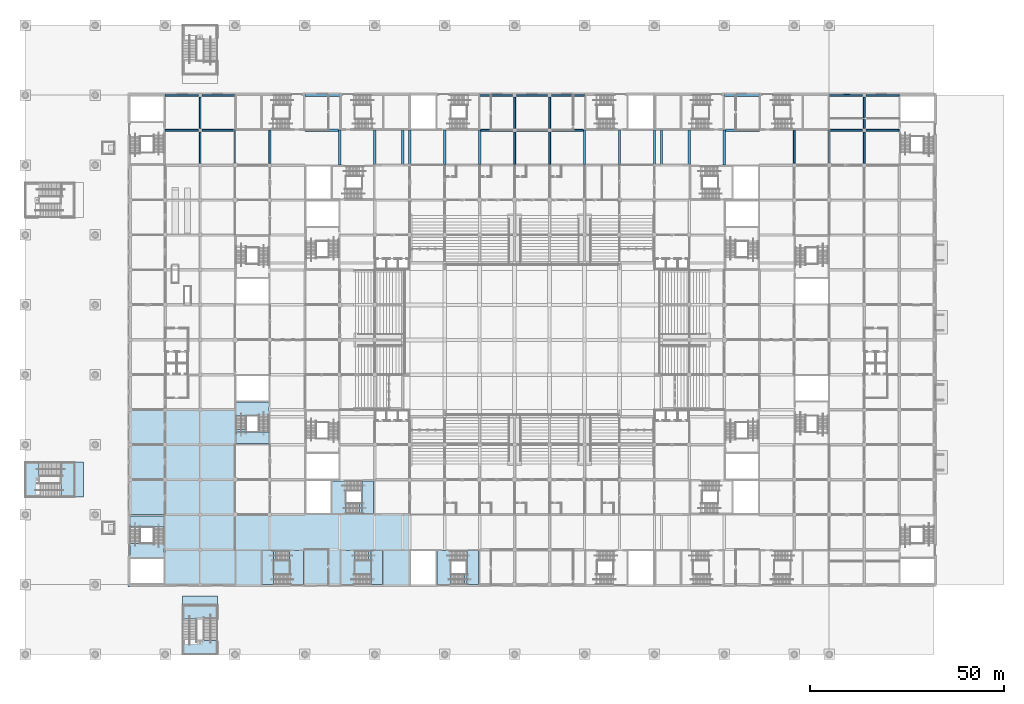
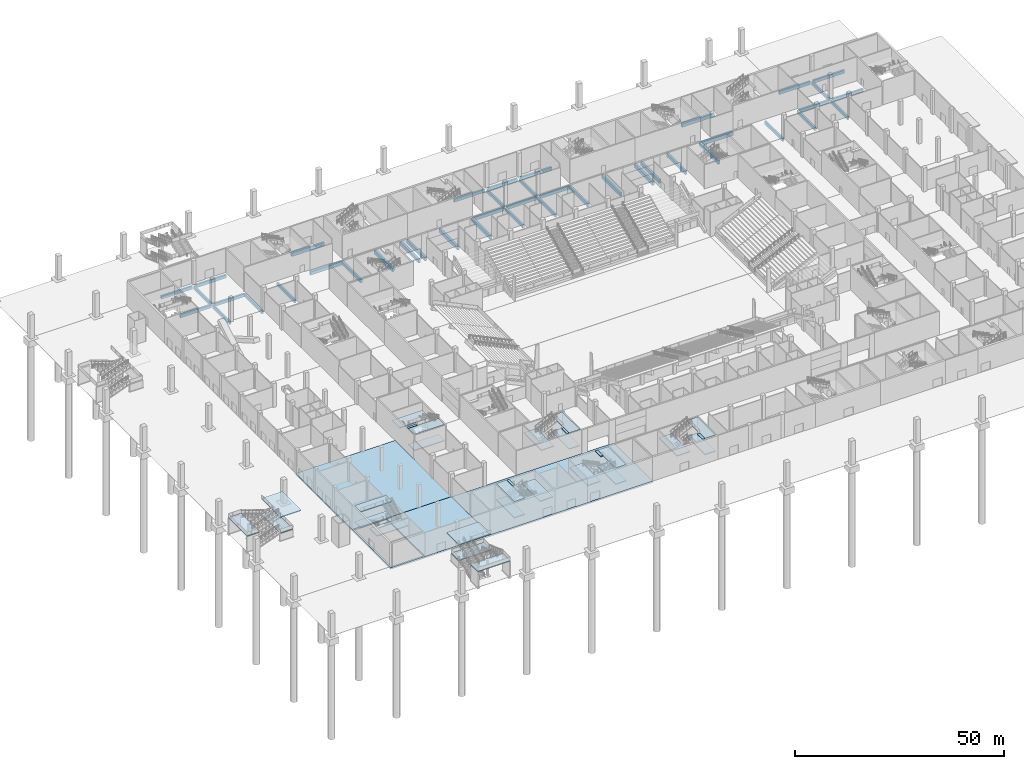
# One storey, part 18 of 92: 42 beams, 32 slabs, 8 elements without a shape of their own.
"""IFC4 building model written with IfcOpenShell, lengths in metres."""

from ifc_helpers import new_model, si_unit, direction, frame, origin, origin_2d, place, context, subcontext, project, spatial, polyline, rectangle, outline, extrude, material, layer, layer_set, material_profile, profile_set, type_object, element, aggregate, save


model = new_model("IFC4")

# Units and contexts
model_context = context("Model", 3, precision=1e-05, world=origin(), true_north=direction((0.0, 1.0)))
body_context = subcontext(model_context, "Body", "Model", "MODEL_VIEW")
ifc_project = project(units=[si_unit("LENGTHUNIT", "METRE"), si_unit("AREAUNIT", "SQUARE_METRE"), si_unit("VOLUMEUNIT", "CUBIC_METRE"), si_unit("PLANEANGLEUNIT", "RADIAN"), si_unit("MASSUNIT", "GRAM", prefix="KILO")], contexts=[model_context])

# Site, building, storey
site_placement = place(None, origin())
site = spatial("IfcSite", under=ifc_project, at=site_placement, CompositionType="ELEMENT")
building_placement = place(site_placement, origin())
building = spatial("IfcBuilding", under=site, at=building_placement, Name="Silverbay Arena", CompositionType="ELEMENT")
storey_placement = place(building_placement, origin())
storey = spatial("IfcBuildingStorey", under=building, at=storey_placement, Name="L00", CompositionType="ELEMENT", Elevation=0.0)

# Beams
ifc_material_1 = material(Name="Concrete Grade C45", Category="concrete")
ifc_material_profile_1 = material_profile(ifc_material_1, rectangle(XDim=0.5, YDim=0.89990234375, at=origin_2d()), Name="RC 500x900")
ifc_profile_set_1 = profile_set([ifc_material_profile_1], Name="Concrete Grade C45")
beam_type_1 = type_object("IfcBeamType", Name="RC beam 500x900", PredefinedType="BEAM", material=ifc_profile_set_1)
beam_1_placement = place(storey_placement, frame((36.0, 135.0, -0.89990234375), z_axis=(1.0, 0.0, 0.0), x_axis=(0.0, 1.0, 0.0)))
element("IfcBeam", 1, at=beam_1_placement, inside=storey, type_object=beam_type_1, Name="Floor beam L00 218", PredefinedType="BEAM", context=body_context, shape_type="SweptSolid", body=[
    extrude(rectangle(XDim=0.5, YDim=0.89990234375, at=origin_2d()), origin(), (0.0, 0.0, 1.0), 8.550048828125),
])
beam_2_placement = place(storey_placement, frame((45.449951171875, 135.0, -0.89990234375), z_axis=(1.0, 0.0, 0.0), x_axis=(0.0, 1.0, 0.0)))
element("IfcBeam", 2, at=beam_2_placement, inside=storey, type_object=beam_type_1, Name="Floor beam L00 219", PredefinedType="BEAM", context=body_context, shape_type="SweptSolid", body=[
    extrude(rectangle(XDim=0.5, YDim=0.89990234375, at=origin_2d()), origin(), (0.0, 0.0, 1.0), 8.300048828125),
])
beam_3_placement = place(storey_placement, frame((117.300048828125, 135.0, -0.89990234375), z_axis=(1.0, 0.0, 0.0), x_axis=(0.0, 1.0, 0.0)))
element("IfcBeam", 3, at=beam_3_placement, inside=storey, type_object=beam_type_1, Name="Floor beam L00 221", PredefinedType="BEAM", context=body_context, shape_type="SweptSolid", body=[
    extrude(rectangle(XDim=0.5, YDim=0.89990234375, at=origin_2d()), origin(), (0.0, 0.0, 1.0), 8.25),
])
beam_4_placement = place(storey_placement, frame((126.449951171875, 135.0, -0.89990234375), z_axis=(1.0, 0.0, 0.0), x_axis=(0.0, 1.0, 0.0)))
element("IfcBeam", 4, at=beam_4_placement, inside=storey, type_object=beam_type_1, Name="Floor beam L00 222", PredefinedType="BEAM", context=body_context, shape_type="SweptSolid", body=[
    extrude(rectangle(XDim=0.5, YDim=0.89990234375, at=origin_2d()), origin(), (0.0, 0.0, 1.0), 8.10009765625),
])
beam_5_placement = place(storey_placement, frame((135.449951171875, 135.0, -0.89990234375), z_axis=(1.0, 0.0, 0.0), x_axis=(0.0, 1.0, 0.0)))
element("IfcBeam", 5, at=beam_5_placement, inside=storey, type_object=beam_type_1, Name="Floor beam L00 223", PredefinedType="BEAM", context=body_context, shape_type="SweptSolid", body=[
    extrude(rectangle(XDim=0.5, YDim=0.89990234375, at=origin_2d()), origin(), (0.0, 0.0, 1.0), 8.25),
])
beam_6_placement = place(storey_placement, frame((207.25, 135.0, -0.89990234375), z_axis=(1.0, 0.0, 0.0), x_axis=(0.0, 1.0, 0.0)))
element("IfcBeam", 6, at=beam_6_placement, inside=storey, type_object=beam_type_1, Name="Floor beam L00 225", PredefinedType="BEAM", context=body_context, shape_type="SweptSolid", body=[
    extrude(rectangle(XDim=0.5, YDim=0.89990234375, at=origin_2d()), origin(), (0.0, 0.0, 1.0), 8.300048828125),
])
for number, where, z_axis, x_axis, name in (
    (7, (216.449951171875, 135.0, -0.89990234375), (1.0, 0.0, 0.0), (0.0, 1.0, 0.0), "Floor beam L00 226"),
    (8, (36.0, 144.0, -0.89990234375), (1.0, 0.0, 0.0), (0.0, 1.0, 0.0), "Floor beam L00 227"),
    (9, (45.449951171875, 144.0, -0.89990234375), (1.0, 0.0, 0.0), (0.0, 1.0, 0.0), "Floor beam L00 228"),
):
    element("IfcBeam", number, at=place(storey_placement, frame(where, z_axis=z_axis, x_axis=x_axis)), inside=storey, type_object=beam_type_1, Name=name, PredefinedType="BEAM", context=body_context, shape_type="SweptSolid", body=[
        extrude(rectangle(XDim=0.5, YDim=0.89990234375, at=origin_2d()), origin(), (0.0, 0.0, 1.0), 8.550048828125),
    ])
beam_7_placement = place(storey_placement, frame((117.0, 144.0, -0.89990234375), z_axis=(1.0, 0.0, 0.0), x_axis=(0.0, 1.0, 0.0)))
element("IfcBeam", 10, at=beam_7_placement, inside=storey, type_object=beam_type_1, Name="Floor beam L00 230", PredefinedType="BEAM", context=body_context, shape_type="SweptSolid", body=[
    extrude(rectangle(XDim=0.5, YDim=0.89990234375, at=origin_2d()), origin(), (0.0, 0.0, 1.0), 8.5),
])
beam_8_placement = place(storey_placement, frame((126.5, 144.0, -0.89990234375), z_axis=(1.0, 0.0, 0.0), x_axis=(0.0, 1.0, 0.0)))
element("IfcBeam", 11, at=beam_8_placement, inside=storey, type_object=beam_type_1, Name="Floor beam L00 231", PredefinedType="BEAM", context=body_context, shape_type="SweptSolid", body=[
    extrude(rectangle(XDim=0.5, YDim=0.89990234375, at=origin_2d()), origin(), (0.0, 0.0, 1.0), 8.0),
])
beam_9_placement = place(storey_placement, frame((135.5, 144.0, -0.89990234375), z_axis=(1.0, 0.0, 0.0), x_axis=(0.0, 1.0, 0.0)))
element("IfcBeam", 12, at=beam_9_placement, inside=storey, type_object=beam_type_1, Name="Floor beam L00 232", PredefinedType="BEAM", context=body_context, shape_type="SweptSolid", body=[
    extrude(rectangle(XDim=0.5, YDim=0.89990234375, at=origin_2d()), origin(), (0.0, 0.0, 1.0), 8.5),
])
for number, where, z_axis, x_axis, name in (
    (13, (207.0, 144.0, -0.89990234375), (1.0, 0.0, 0.0), (0.0, 1.0, 0.0), "Floor beam L00 234"),
    (14, (216.449951171875, 144.0, -0.89990234375), (1.0, 0.0, 0.0), (0.0, 1.0, 0.0), "Floor beam L00 235"),
):
    element("IfcBeam", number, at=place(storey_placement, frame(where, z_axis=z_axis, x_axis=x_axis)), inside=storey, type_object=beam_type_1, Name=name, PredefinedType="BEAM", context=body_context, shape_type="SweptSolid", body=[
        extrude(rectangle(XDim=0.5, YDim=0.89990234375, at=origin_2d()), origin(), (0.0, 0.0, 1.0), 8.550048828125),
    ])
for number, where, z_axis, x_axis, name in (
    (15, (45.0, 126.449951171875, -0.89990234375), (0.0, 1.0, 0.0), (-1.0, 0.0, 0.0), "Floor beam L00 268"),
    (16, (45.0, 135.449951171875, -0.89990234375), (0.0, 1.0, 0.0), (-1.0, 0.0, 0.0), "Floor beam L00 269"),
):
    element("IfcBeam", number, at=place(storey_placement, frame(where, z_axis=z_axis, x_axis=x_axis)), inside=storey, type_object=beam_type_1, Name=name, PredefinedType="BEAM", context=body_context, shape_type="SweptSolid", body=[
        extrude(rectangle(XDim=0.5, YDim=0.89990234375, at=origin_2d()), origin(), (0.0, 0.0, 1.0), 8.10009765625),
    ])
beam_10_placement = place(storey_placement, frame((54.0, 126.5, -0.89990234375), z_axis=(0.0, 1.0, 0.0), x_axis=(-1.0, 0.0, 0.0)))
element("IfcBeam", 17, at=beam_10_placement, inside=storey, type_object=beam_type_1, Name="Floor beam L00 277", PredefinedType="BEAM", context=body_context, shape_type="SweptSolid", body=[
    extrude(rectangle(XDim=0.5, YDim=0.89990234375, at=origin_2d()), origin(), (0.0, 0.0, 1.0), 8.5),
])
beam_11_placement = place(storey_placement, frame((63.0, 126.449951171875, -0.89990234375), z_axis=(0.0, 1.0, 0.0), x_axis=(-1.0, 0.0, 0.0)))
element("IfcBeam", 18, at=beam_11_placement, inside=storey, type_object=beam_type_1, Name="Floor beam L00 285", PredefinedType="BEAM", context=body_context, shape_type="SweptSolid", body=[
    extrude(rectangle(XDim=0.5, YDim=0.89990234375, at=origin_2d()), origin(), (0.0, 0.0, 1.0), 8.550048828125),
])
beam_12_placement = place(storey_placement, frame((126.0, 126.199951171875, -0.89990234375), z_axis=(0.0, 1.0, 0.0), x_axis=(-1.0, 0.0, 0.0)))
element("IfcBeam", 19, at=beam_12_placement, inside=storey, type_object=beam_type_1, Name="Floor beam L00 352", PredefinedType="BEAM", context=body_context, shape_type="SweptSolid", body=[
    extrude(rectangle(XDim=0.5, YDim=0.89990234375, at=origin_2d()), origin(), (0.0, 0.0, 1.0), 8.35009765625),
])
beam_13_placement = place(storey_placement, frame((126.0, 135.449951171875, -0.89990234375), z_axis=(0.0, 1.0, 0.0), x_axis=(-1.0, 0.0, 0.0)))
element("IfcBeam", 20, at=beam_13_placement, inside=storey, type_object=beam_type_1, Name="Floor beam L00 353", PredefinedType="BEAM", context=body_context, shape_type="SweptSolid", body=[
    extrude(rectangle(XDim=0.5, YDim=0.89990234375, at=origin_2d()), origin(), (0.0, 0.0, 1.0), 8.050048828125),
])
beam_14_placement = place(storey_placement, frame((135.0, 126.199951171875, -0.89990234375), z_axis=(0.0, 1.0, 0.0), x_axis=(-1.0, 0.0, 0.0)))
element("IfcBeam", 21, at=beam_14_placement, inside=storey, type_object=beam_type_1, Name="Floor beam L00 366", PredefinedType="BEAM", context=body_context, shape_type="SweptSolid", body=[
    extrude(rectangle(XDim=0.5, YDim=0.89990234375, at=origin_2d()), origin(), (0.0, 0.0, 1.0), 8.35009765625),
])
beam_15_placement = place(storey_placement, frame((135.0, 135.449951171875, -0.89990234375), z_axis=(0.0, 1.0, 0.0), x_axis=(-1.0, 0.0, 0.0)))
element("IfcBeam", 22, at=beam_15_placement, inside=storey, type_object=beam_type_1, Name="Floor beam L00 367", PredefinedType="BEAM", context=body_context, shape_type="SweptSolid", body=[
    extrude(rectangle(XDim=0.5, YDim=0.89990234375, at=origin_2d()), origin(), (0.0, 0.0, 1.0), 8.050048828125),
])
beam_16_placement = place(storey_placement, frame((198.0, 126.449951171875, -0.89990234375), z_axis=(0.0, 1.0, 0.0), x_axis=(-1.0, 0.0, 0.0)))
element("IfcBeam", 23, at=beam_16_placement, inside=storey, type_object=beam_type_1, Name="Floor beam L00 429", PredefinedType="BEAM", context=body_context, shape_type="SweptSolid", body=[
    extrude(rectangle(XDim=0.5, YDim=0.89990234375, at=origin_2d()), origin(), (0.0, 0.0, 1.0), 8.550048828125),
])
beam_17_placement = place(storey_placement, frame((207.0, 126.5, -0.89990234375), z_axis=(0.0, 1.0, 0.0), x_axis=(-1.0, 0.0, 0.0)))
element("IfcBeam", 24, at=beam_17_placement, inside=storey, type_object=beam_type_1, Name="Floor beam L00 437", PredefinedType="BEAM", context=body_context, shape_type="SweptSolid", body=[
    extrude(rectangle(XDim=0.5, YDim=0.89990234375, at=origin_2d()), origin(), (0.0, 0.0, 1.0), 8.5),
])
for number, where, z_axis, x_axis, name in (
    (25, (216.0, 126.449951171875, -0.89990234375), (0.0, 1.0, 0.0), (-1.0, 0.0, 0.0), "Floor beam L00 450"),
    (26, (216.0, 135.449951171875, -0.89990234375), (0.0, 1.0, 0.0), (-1.0, 0.0, 0.0), "Floor beam L00 451"),
):
    element("IfcBeam", number, at=place(storey_placement, frame(where, z_axis=z_axis, x_axis=x_axis)), inside=storey, type_object=beam_type_1, Name=name, PredefinedType="BEAM", context=body_context, shape_type="SweptSolid", body=[
        extrude(rectangle(XDim=0.5, YDim=0.89990234375, at=origin_2d()), origin(), (0.0, 0.0, 1.0), 8.10009765625),
    ])
ifc_material_2 = material(Name="Concrete Grade C45", Category="concrete")
ifc_material_profile_2 = material_profile(ifc_material_2, rectangle(XDim=0.60009765625, YDim=1.0, at=origin_2d()), Name="RC 600x1000")
ifc_profile_set_2 = profile_set([ifc_material_profile_2], Name="Concrete Grade C45")
beam_type_2 = type_object("IfcBeamType", Name="RC beam 600x1000", PredefinedType="BEAM", material=ifc_profile_set_2)
for number, where, z_axis, x_axis, name in (
    (27, (72.0, 135.0, -0.949951171875), (1.0, 0.0, 0.0), (0.0, 1.0, 0.0), "Floor beam L00 220"),
    (28, (180.300048828125, 135.0, -0.949951171875), (1.0, 0.0, 0.0), (0.0, 1.0, 0.0), "Floor beam L00 224"),
):
    element("IfcBeam", number, at=place(storey_placement, frame(where, z_axis=z_axis, x_axis=x_axis)), inside=storey, type_object=beam_type_2, Name=name, PredefinedType="BEAM", context=body_context, shape_type="SweptSolid", body=[
        extrude(rectangle(XDim=0.60009765625, YDim=1.0, at=origin_2d()), origin(), (0.0, 0.0, 1.0), 8.699951171875),
    ])
for number, where, z_axis, x_axis, name in (
    (29, (72.0, 144.0, -0.949951171875), (1.0, 0.0, 0.0), (0.0, 1.0, 0.0), "Floor beam L00 229"),
    (30, (180.0, 144.0, -0.949951171875), (1.0, 0.0, 0.0), (0.0, 1.0, 0.0), "Floor beam L00 233"),
    (31, (81.0, 126.0, -0.949951171875), (0.0, 1.0, 0.0), (-1.0, 0.0, 0.0), "Floor beam L00 291"),
):
    element("IfcBeam", number, at=place(storey_placement, frame(where, z_axis=z_axis, x_axis=x_axis)), inside=storey, type_object=beam_type_2, Name=name, PredefinedType="BEAM", context=body_context, shape_type="SweptSolid", body=[
        extrude(rectangle(XDim=0.60009765625, YDim=1.0, at=origin_2d()), origin(), (0.0, 0.0, 1.0), 9.0),
    ])
for number, where, z_axis, x_axis, name in (
    (32, (90.0, 126.199951171875, -0.949951171875), (0.0, 1.0, 0.0), (-1.0, 0.0, 0.0), "Floor beam L00 301"),
    (33, (97.199951171875, 126.199951171875, -0.949951171875), (0.0, 1.0, 0.0), (-1.0, 0.0, 0.0), "Floor beam L00 307"),
    (34, (99.0, 126.199951171875, -0.949951171875), (0.0, 1.0, 0.0), (-1.0, 0.0, 0.0), "Floor beam L00 315"),
    (35, (108.0, 126.199951171875, -0.949951171875), (0.0, 1.0, 0.0), (-1.0, 0.0, 0.0), "Floor beam L00 327"),
    (36, (117.0, 126.199951171875, -0.949951171875), (0.0, 1.0, 0.0), (-1.0, 0.0, 0.0), "Floor beam L00 339"),
    (37, (144.0, 126.199951171875, -0.949951171875), (0.0, 1.0, 0.0), (-1.0, 0.0, 0.0), "Floor beam L00 379"),
    (38, (153.0, 126.199951171875, -0.949951171875), (0.0, 1.0, 0.0), (-1.0, 0.0, 0.0), "Floor beam L00 391"),
    (39, (162.0, 126.199951171875, -0.949951171875), (0.0, 1.0, 0.0), (-1.0, 0.0, 0.0), "Floor beam L00 399"),
    (40, (163.800048828125, 126.199951171875, -0.949951171875), (0.0, 1.0, 0.0), (-1.0, 0.0, 0.0), "Floor beam L00 405"),
    (41, (171.0, 126.199951171875, -0.949951171875), (0.0, 1.0, 0.0), (-1.0, 0.0, 0.0), "Floor beam L00 415"),
):
    element("IfcBeam", number, at=place(storey_placement, frame(where, z_axis=z_axis, x_axis=x_axis)), inside=storey, type_object=beam_type_2, Name=name, PredefinedType="BEAM", context=body_context, shape_type="SweptSolid", body=[
        extrude(rectangle(XDim=0.60009765625, YDim=1.0, at=origin_2d()), origin(), (0.0, 0.0, 1.0), 8.800048828125),
    ])
beam_18_placement = place(storey_placement, frame((180.0, 126.0, -0.949951171875), z_axis=(0.0, 1.0, 0.0), x_axis=(-1.0, 0.0, 0.0)))
element("IfcBeam", 42, at=beam_18_placement, inside=storey, type_object=beam_type_2, Name="Floor beam L00 421", PredefinedType="BEAM", context=body_context, shape_type="SweptSolid", body=[
    extrude(rectangle(XDim=0.60009765625, YDim=1.0, at=origin_2d()), origin(), (0.0, 0.0, 1.0), 9.0),
])

# Slabs
ifc_material_3 = material(Name="Concrete Grade C45", Category="concrete")
ifc_layer_1 = layer(ifc_material_3, 0.449951171875)
ifc_layer_set_1 = layer_set([ifc_layer_1], Name="Concrete Grade C45")
slab_type_1 = type_object("IfcSlabType", Name="RC floor slab 450", PredefinedType="FLOOR", material=ifc_layer_set_1)
slab_1_placement = place(storey_placement, frame((0.0, 0.0, -0.449951171875)))
element("IfcSlab", 43, at=slab_1_placement, inside=storey, type_object=slab_type_1, Name="Floor slab L00 unit 1", PredefinedType="FLOOR", context=body_context, shape_type="SweptSolid", body=[
    extrude(outline(polyline([(26.5, 35.97509765625), (27.0, 35.97509765625), (27.0, 18.0), (36.0, 18.0), (36.0, 35.97509765625), (54.0, 35.97509765625), (54.0, 17.5), (26.5, 17.5), (26.5, 35.97509765625)])), origin(), (0.0, 0.0, 1.0), 0.449951171875),
])
slab_2_placement = place(storey_placement, frame((0.0, 0.0, -0.449951171875)))
element("IfcSlab", 44, at=slab_2_placement, inside=storey, type_object=slab_type_1, Name="Floor slab L00 unit 2", PredefinedType="FLOOR", context=body_context, shape_type="SweptSolid", body=[
    extrude(outline(polyline([(54.0, 17.5), (54.0, 35.97509765625), (99.0, 35.97509765625), (99.0, 17.5), (54.0, 17.5)])), origin(), (0.0, 0.0, 1.0), 0.449951171875),
])
slab_3_placement = place(storey_placement, frame((0.0, 0.0, -0.449951171875)))
element("IfcSlab", 45, at=slab_3_placement, inside=storey, type_object=slab_type_1, Name="Floor slab L00 unit 6", PredefinedType="FLOOR", context=body_context, shape_type="SweptSolid", body=[
    extrude(outline(polyline([(54.300048828125, 54.60009765625), (54.300048828125, 54.0), (54.0, 54.0), (54.0, 35.97509765625), (36.0, 35.97509765625), (36.0, 36.0), (27.0, 36.0), (27.0, 35.97509765625), (26.5, 35.97509765625), (26.5, 63.10009765625), (54.0, 63.10009765625), (54.0, 54.60009765625), (54.300048828125, 54.60009765625)])), origin(), (0.0, 0.0, 1.0), 0.449951171875),
])

# Stair, slab
ifc_material_4 = material(Name="Concrete Grade C45", Category="concrete")
stair_type_1 = type_object("IfcStairType", Name="Stair 2600 wide 48 risers 145.8 x 300", PredefinedType="HALF_TURN_STAIR", material=ifc_material_4)
stair_1_placement = place(storey_placement, origin())
stair_1 = element("IfcStair", 46, at=stair_1_placement, inside=storey, type_object=stair_type_1, Name="Stair ST-S1 L00 to L01", PredefinedType="HALF_TURN_STAIR")
ifc_material_5 = material(Name="Concrete Grade C45", Category="concrete")
ifc_layer_2 = layer(ifc_material_5, 0.25)
ifc_layer_set_2 = layer_set([ifc_layer_2], Name="Concrete Grade C45")
slab_type_2 = type_object("IfcSlabType", Name="Stair arrival platform RC 250", PredefinedType="FLOOR", material=ifc_layer_set_2)
slab_4_placement = place(storey_placement, frame((0.0, 0.0, 6.75)))
slab_4 = element("IfcSlab", 47, at=slab_4_placement, type_object=slab_type_2, Name="Stair ST-S1 L00 to L01 arrival platform 4", PredefinedType="FLOOR", context=body_context, shape_type="SweptSolid", body=[
    extrude(outline(polyline([(88.39990234375, 26.699951171875), (89.056884765625, 26.699951171875), (89.056884765625, 24.10009765625), (88.39990234375, 24.10009765625), (88.39990234375, 26.699951171875)])), origin(), (0.0, 0.0, 1.0), 0.25),
])

stair_2_placement = place(storey_placement, origin())
stair_2 = element("IfcStair", 48, at=stair_2_placement, inside=storey, type_object=stair_type_1, Name="Stair ST-S2 L00 to L01", PredefinedType="HALF_TURN_STAIR")
slab_5_placement = place(storey_placement, frame((0.0, 0.0, 6.75)))
slab_5 = element("IfcSlab", 49, at=slab_5_placement, type_object=slab_type_2, Name="Stair ST-S2 L00 to L01 arrival platform 4", PredefinedType="FLOOR", context=body_context, shape_type="SweptSolid", body=[
    extrude(outline(polyline([(113.10009765625, 20.60009765625), (113.7568359375, 20.60009765625), (113.7568359375, 18.0), (113.10009765625, 18.0), (113.10009765625, 20.60009765625)])), origin(), (0.0, 0.0, 1.0), 0.25),
])

stair_3_placement = place(storey_placement, origin())
stair_3 = element("IfcStair", 50, at=stair_3_placement, inside=storey, type_object=stair_type_1, Name="Stair ST-S5 L00 to L01", PredefinedType="HALF_TURN_STAIR")
slab_6_placement = place(storey_placement, frame((0.0, 0.0, 6.75)))
slab_6 = element("IfcSlab", 51, at=slab_6_placement, type_object=slab_type_2, Name="Stair ST-S5 L00 to L01 arrival platform 4", PredefinedType="FLOOR", context=body_context, shape_type="SweptSolid", body=[
    extrude(outline(polyline([(64.60009765625, 26.699951171875), (63.943115234375, 26.699951171875), (63.943115234375, 24.10009765625), (64.60009765625, 24.10009765625), (64.60009765625, 26.699951171875)])), origin(), (0.0, 0.0, 1.0), 0.25),
])

stair_4_placement = place(storey_placement, origin())
stair_4 = element("IfcStair", 52, at=stair_4_placement, inside=storey, type_object=stair_type_1, Name="Stair ST-W1 L00 to L01", PredefinedType="HALF_TURN_STAIR")
slab_7_placement = place(storey_placement, frame((0.0, 0.0, 6.75)))
slab_7 = element("IfcSlab", 53, at=slab_7_placement, type_object=slab_type_2, Name="Stair ST-W1 L00 to L01 arrival platform 4", PredefinedType="FLOOR", context=body_context, shape_type="SweptSolid", body=[
    extrude(outline(polyline([(56.89990234375, 57.89990234375), (56.89990234375, 57.2431640625), (54.300048828125, 57.2431640625), (54.300048828125, 57.89990234375), (56.89990234375, 57.89990234375)])), origin(), (0.0, 0.0, 1.0), 0.25),
])

stair_5_placement = place(storey_placement, origin())
stair_5 = element("IfcStair", 54, at=stair_5_placement, inside=storey, type_object=stair_type_1, Name="Stair ST-SW1 L00 to L01", PredefinedType="HALF_TURN_STAIR")
slab_8_placement = place(storey_placement, frame((0.0, 0.0, 6.75)))
slab_8 = element("IfcSlab", 55, at=slab_8_placement, type_object=slab_type_2, Name="Stair ST-SW1 L00 to L01 arrival platform 4", PredefinedType="FLOOR", context=body_context, shape_type="SweptSolid", body=[
    extrude(outline(polyline([(86.10009765625, 38.89990234375), (86.7568359375, 38.89990234375), (86.7568359375, 36.300048828125), (86.10009765625, 36.300048828125), (86.10009765625, 38.89990234375)])), origin(), (0.0, 0.0, 1.0), 0.25),
])

# Slab
ifc_material_6 = material(Name="Concrete Grade C45", Category="concrete")
ifc_layer_3 = layer(ifc_material_6, 0.25)
ifc_layer_set_3 = layer_set([ifc_layer_3], Name="Concrete Grade C45")
slab_type_3 = type_object("IfcSlabType", Name="Stair landing RC 250", PredefinedType="LANDING", material=ifc_layer_set_3)
slab_9_placement = place(storey_placement, frame((0.0, 0.0, 2.083251953125)))
slab_9 = element("IfcSlab", 56, at=slab_9_placement, type_object=slab_type_3, Name="Stair ST-S1 L00 to L01 landing 1", PredefinedType="LANDING", context=body_context, shape_type="SweptSolid", body=[
    extrude(outline(polyline([(89.056884765625, 26.699951171875), (92.0, 26.699951171875), (92.0, 18.0), (89.056884765625, 18.0), (89.056884765625, 26.699951171875)])), origin(), (0.0, 0.0, 1.0), 0.25),
])

slab_10_placement = place(storey_placement, frame((0.0, 0.0, 4.416748046875)))
slab_10 = element("IfcSlab", 57, at=slab_10_placement, type_object=slab_type_3, Name="Stair ST-S1 L00 to L01 landing 2", PredefinedType="LANDING", context=body_context, shape_type="SweptSolid", body=[
    extrude(outline(polyline([(81.300048828125, 26.699951171875), (84.89990234375, 26.699951171875), (84.89990234375, 18.0), (81.300048828125, 18.0), (81.300048828125, 26.699951171875)])), origin(), (0.0, 0.0, 1.0), 0.25),
])

slab_11_placement = place(storey_placement, frame((0.0, 0.0, 6.75)))
slab_11 = element("IfcSlab", 58, at=slab_11_placement, type_object=slab_type_3, Name="Stair ST-S1 L00 to L01 landing 3", PredefinedType="LANDING", context=body_context, shape_type="SweptSolid", body=[
    extrude(outline(polyline([(89.056884765625, 26.699951171875), (92.0, 26.699951171875), (92.0, 18.0), (89.056884765625, 18.0), (89.056884765625, 26.699951171875)])), origin(), (0.0, 0.0, 1.0), 0.25),
])

aggregate(stair_1, [slab_9, slab_10, slab_11, slab_4])

slab_12_placement = place(storey_placement, frame((0.0, 0.0, 2.083251953125)))
slab_12 = element("IfcSlab", 59, at=slab_12_placement, type_object=slab_type_3, Name="Stair ST-S2 L00 to L01 landing 1", PredefinedType="LANDING", context=body_context, shape_type="SweptSolid", body=[
    extrude(outline(polyline([(113.7568359375, 26.699951171875), (116.699951171875, 26.699951171875), (116.699951171875, 18.0), (113.7568359375, 18.0), (113.7568359375, 26.699951171875)])), origin(), (0.0, 0.0, 1.0), 0.25),
])

slab_13_placement = place(storey_placement, frame((0.0, 0.0, 4.416748046875)))
slab_13 = element("IfcSlab", 60, at=slab_13_placement, type_object=slab_type_3, Name="Stair ST-S2 L00 to L01 landing 2", PredefinedType="LANDING", context=body_context, shape_type="SweptSolid", body=[
    extrude(outline(polyline([(106.0, 26.699951171875), (109.60009765625, 26.699951171875), (109.60009765625, 18.0), (106.0, 18.0), (106.0, 26.699951171875)])), origin(), (0.0, 0.0, 1.0), 0.25),
])

slab_14_placement = place(storey_placement, frame((0.0, 0.0, 6.75)))
slab_14 = element("IfcSlab", 61, at=slab_14_placement, type_object=slab_type_3, Name="Stair ST-S2 L00 to L01 landing 3", PredefinedType="LANDING", context=body_context, shape_type="SweptSolid", body=[
    extrude(outline(polyline([(113.7568359375, 26.699951171875), (116.699951171875, 26.699951171875), (116.699951171875, 18.0), (113.7568359375, 18.0), (113.7568359375, 26.699951171875)])), origin(), (0.0, 0.0, 1.0), 0.25),
])

aggregate(stair_2, [slab_12, slab_13, slab_14, slab_5])

slab_15_placement = place(storey_placement, frame((0.0, 0.0, 2.083251953125)))
slab_15 = element("IfcSlab", 62, at=slab_15_placement, type_object=slab_type_3, Name="Stair ST-S5 L00 to L01 landing 1", PredefinedType="LANDING", context=body_context, shape_type="SweptSolid", body=[
    extrude(outline(polyline([(63.943115234375, 26.699951171875), (61.0, 26.699951171875), (61.0, 18.0), (63.943115234375, 18.0), (63.943115234375, 26.699951171875)])), origin(), (0.0, 0.0, 1.0), 0.25),
])

slab_16_placement = place(storey_placement, frame((0.0, 0.0, 4.416748046875)))
slab_16 = element("IfcSlab", 63, at=slab_16_placement, type_object=slab_type_3, Name="Stair ST-S5 L00 to L01 landing 2", PredefinedType="LANDING", context=body_context, shape_type="SweptSolid", body=[
    extrude(outline(polyline([(71.699951171875, 26.699951171875), (68.10009765625, 26.699951171875), (68.10009765625, 18.0), (71.699951171875, 18.0), (71.699951171875, 26.699951171875)])), origin(), (0.0, 0.0, 1.0), 0.25),
])

slab_17_placement = place(storey_placement, frame((0.0, 0.0, 6.75)))
slab_17 = element("IfcSlab", 64, at=slab_17_placement, type_object=slab_type_3, Name="Stair ST-S5 L00 to L01 landing 3", PredefinedType="LANDING", context=body_context, shape_type="SweptSolid", body=[
    extrude(outline(polyline([(63.943115234375, 26.699951171875), (61.0, 26.699951171875), (61.0, 18.0), (63.943115234375, 18.0), (63.943115234375, 26.699951171875)])), origin(), (0.0, 0.0, 1.0), 0.25),
])

aggregate(stair_3, [slab_15, slab_16, slab_17, slab_6])

slab_18_placement = place(storey_placement, frame((0.0, 0.0, 2.083251953125)))
slab_18 = element("IfcSlab", 65, at=slab_18_placement, type_object=slab_type_3, Name="Stair ST-W1 L00 to L01 landing 1", PredefinedType="LANDING", context=body_context, shape_type="SweptSolid", body=[
    extrude(outline(polyline([(62.699951171875, 57.2431640625), (62.699951171875, 54.300048828125), (54.300048828125, 54.300048828125), (54.300048828125, 57.2431640625), (62.699951171875, 57.2431640625)])), origin(), (0.0, 0.0, 1.0), 0.25),
])

slab_19_placement = place(storey_placement, frame((0.0, 0.0, 4.416748046875)))
slab_19 = element("IfcSlab", 66, at=slab_19_placement, type_object=slab_type_3, Name="Stair ST-W1 L00 to L01 landing 2", PredefinedType="LANDING", context=body_context, shape_type="SweptSolid", body=[
    extrude(outline(polyline([(62.699951171875, 65.0), (62.699951171875, 61.39990234375), (54.300048828125, 61.39990234375), (54.300048828125, 65.0), (62.699951171875, 65.0)])), origin(), (0.0, 0.0, 1.0), 0.25),
])

slab_20_placement = place(storey_placement, frame((0.0, 0.0, 6.75)))
slab_20 = element("IfcSlab", 67, at=slab_20_placement, type_object=slab_type_3, Name="Stair ST-W1 L00 to L01 landing 3", PredefinedType="LANDING", context=body_context, shape_type="SweptSolid", body=[
    extrude(outline(polyline([(62.699951171875, 57.2431640625), (62.699951171875, 54.300048828125), (54.300048828125, 54.300048828125), (54.300048828125, 57.2431640625), (62.699951171875, 57.2431640625)])), origin(), (0.0, 0.0, 1.0), 0.25),
])

aggregate(stair_4, [slab_18, slab_19, slab_20, slab_7])

slab_21_placement = place(storey_placement, frame((0.0, 0.0, 2.083251953125)))
slab_21 = element("IfcSlab", 68, at=slab_21_placement, type_object=slab_type_3, Name="Stair ST-SW1 L00 to L01 landing 1", PredefinedType="LANDING", context=body_context, shape_type="SweptSolid", body=[
    extrude(outline(polyline([(86.7568359375, 44.699951171875), (89.699951171875, 44.699951171875), (89.699951171875, 36.300048828125), (86.7568359375, 36.300048828125), (86.7568359375, 44.699951171875)])), origin(), (0.0, 0.0, 1.0), 0.25),
])

slab_22_placement = place(storey_placement, frame((0.0, 0.0, 4.416748046875)))
slab_22 = element("IfcSlab", 69, at=slab_22_placement, type_object=slab_type_3, Name="Stair ST-SW1 L00 to L01 landing 2", PredefinedType="LANDING", context=body_context, shape_type="SweptSolid", body=[
    extrude(outline(polyline([(79.0, 44.699951171875), (82.60009765625, 44.699951171875), (82.60009765625, 36.300048828125), (79.0, 36.300048828125), (79.0, 44.699951171875)])), origin(), (0.0, 0.0, 1.0), 0.25),
])

slab_23_placement = place(storey_placement, frame((0.0, 0.0, 6.75)))
slab_23 = element("IfcSlab", 70, at=slab_23_placement, type_object=slab_type_3, Name="Stair ST-SW1 L00 to L01 landing 3", PredefinedType="LANDING", context=body_context, shape_type="SweptSolid", body=[
    extrude(outline(polyline([(86.7568359375, 44.699951171875), (89.699951171875, 44.699951171875), (89.699951171875, 36.300048828125), (86.7568359375, 36.300048828125), (86.7568359375, 44.699951171875)])), origin(), (0.0, 0.0, 1.0), 0.25),
])

aggregate(stair_5, [slab_21, slab_22, slab_23, slab_8])

# Stair, slabs
stair_6_placement = place(storey_placement, origin())
stair_6 = element("IfcStair", 71, at=stair_6_placement, inside=storey, type_object=stair_type_1, Name="Stair ST-WG1 L00 to L01", PredefinedType="HALF_TURN_STAIR")
slab_24_placement = place(storey_placement, frame((0.0, 0.0, 2.083251953125)))
slab_24 = element("IfcSlab", 72, at=slab_24_placement, type_object=slab_type_3, Name="Stair ST-WG1 L00 to L01 landing 1", PredefinedType="LANDING", context=body_context, shape_type="SweptSolid", body=[
    extrude(outline(polyline([(35.699951171875, 32.7568359375), (35.699951171875, 35.699951171875), (27.0, 35.699951171875), (27.0, 32.7568359375), (35.699951171875, 32.7568359375)])), origin(), (0.0, 0.0, 1.0), 0.25),
])
slab_25_placement = place(storey_placement, frame((0.0, 0.0, 4.416748046875)))
slab_25 = element("IfcSlab", 73, at=slab_25_placement, type_object=slab_type_3, Name="Stair ST-WG1 L00 to L01 landing 2", PredefinedType="LANDING", context=body_context, shape_type="SweptSolid", body=[
    extrude(outline(polyline([(35.699951171875, 25.0), (35.699951171875, 28.60009765625), (27.0, 28.60009765625), (27.0, 25.0), (35.699951171875, 25.0)])), origin(), (0.0, 0.0, 1.0), 0.25),
])
slab_26_placement = place(storey_placement, frame((0.0, 0.0, 6.75)))
slab_26 = element("IfcSlab", 74, at=slab_26_placement, type_object=slab_type_3, Name="Stair ST-WG1 L00 to L01 landing 3", PredefinedType="LANDING", context=body_context, shape_type="SweptSolid", body=[
    extrude(outline(polyline([(35.699951171875, 32.7568359375), (35.699951171875, 35.699951171875), (27.0, 35.699951171875), (27.0, 32.7568359375), (35.699951171875, 32.7568359375)])), origin(), (0.0, 0.0, 1.0), 0.25),
])
aggregate(stair_6, [slab_24, slab_25, slab_26])

ifc_material_7 = material(Name="Concrete Grade C45", Category="concrete")
stair_type_2 = type_object("IfcStairType", Name="Stair 3600 wide 48 risers 145.8 x 400", PredefinedType="HALF_TURN_STAIR", material=ifc_material_7)
stair_7_placement = place(storey_placement, origin())
stair_7 = element("IfcStair", 75, at=stair_7_placement, inside=storey, type_object=stair_type_2, Name="Deck stair DS1", PredefinedType="HALF_TURN_STAIR")
slab_27_placement = place(storey_placement, frame((0.0, 0.0, 2.083251953125)))
slab_27 = element("IfcSlab", 76, at=slab_27_placement, type_object=slab_type_3, Name="Deck stair DS1 landing 1", PredefinedType="LANDING", context=body_context, shape_type="SweptSolid", body=[
    extrude(outline(polyline([(9.162109375, 40.5), (12.761962890625, 40.5), (12.761962890625, 49.5), (9.162109375, 49.5), (9.162109375, 40.5)])), origin(), (0.0, 0.0, 1.0), 0.25),
])
slab_28_placement = place(storey_placement, frame((0.0, 0.0, 4.416748046875)))
slab_28 = element("IfcSlab", 77, at=slab_28_placement, type_object=slab_type_3, Name="Deck stair DS1 landing 2", PredefinedType="LANDING", context=body_context, shape_type="SweptSolid", body=[
    extrude(outline(polyline([(0.0, 40.5), (3.60009765625, 40.5), (3.60009765625, 49.5), (0.0, 49.5), (0.0, 40.5)])), origin(), (0.0, 0.0, 1.0), 0.25),
])
slab_29_placement = place(storey_placement, frame((0.0, 0.0, 6.75)))
slab_29 = element("IfcSlab", 78, at=slab_29_placement, type_object=slab_type_3, Name="Deck stair DS1 landing 3", PredefinedType="LANDING", context=body_context, shape_type="SweptSolid", body=[
    extrude(outline(polyline([(9.162109375, 40.5), (15.0, 40.5), (15.0, 49.5), (9.162109375, 49.5), (9.162109375, 40.5)])), origin(), (0.0, 0.0, 1.0), 0.25),
])
aggregate(stair_7, [slab_27, slab_28, slab_29])

stair_8_placement = place(storey_placement, origin())
stair_8 = element("IfcStair", 79, at=stair_8_placement, inside=storey, type_object=stair_type_2, Name="Deck stair DS3", PredefinedType="HALF_TURN_STAIR")
slab_30_placement = place(storey_placement, frame((0.0, 0.0, 2.083251953125)))
slab_30 = element("IfcSlab", 80, at=slab_30_placement, type_object=slab_type_3, Name="Deck stair DS3 landing 1", PredefinedType="LANDING", context=body_context, shape_type="SweptSolid", body=[
    extrude(outline(polyline([(40.5, 9.162109375), (40.5, 12.761962890625), (49.5, 12.761962890625), (49.5, 9.162109375), (40.5, 9.162109375)])), origin(), (0.0, 0.0, 1.0), 0.25),
])
slab_31_placement = place(storey_placement, frame((0.0, 0.0, 4.416748046875)))
slab_31 = element("IfcSlab", 81, at=slab_31_placement, type_object=slab_type_3, Name="Deck stair DS3 landing 2", PredefinedType="LANDING", context=body_context, shape_type="SweptSolid", body=[
    extrude(outline(polyline([(40.5, 0.0), (40.5, 3.60009765625), (49.5, 3.60009765625), (49.5, 0.0), (40.5, 0.0)])), origin(), (0.0, 0.0, 1.0), 0.25),
])
slab_32_placement = place(storey_placement, frame((0.0, 0.0, 6.75)))
slab_32 = element("IfcSlab", 82, at=slab_32_placement, type_object=slab_type_3, Name="Deck stair DS3 landing 3", PredefinedType="LANDING", context=body_context, shape_type="SweptSolid", body=[
    extrude(outline(polyline([(40.5, 9.162109375), (40.5, 15.0), (49.5, 15.0), (49.5, 9.162109375), (40.5, 9.162109375)])), origin(), (0.0, 0.0, 1.0), 0.25),
])
aggregate(stair_8, [slab_30, slab_31, slab_32])

save(model, "model.ifc")
